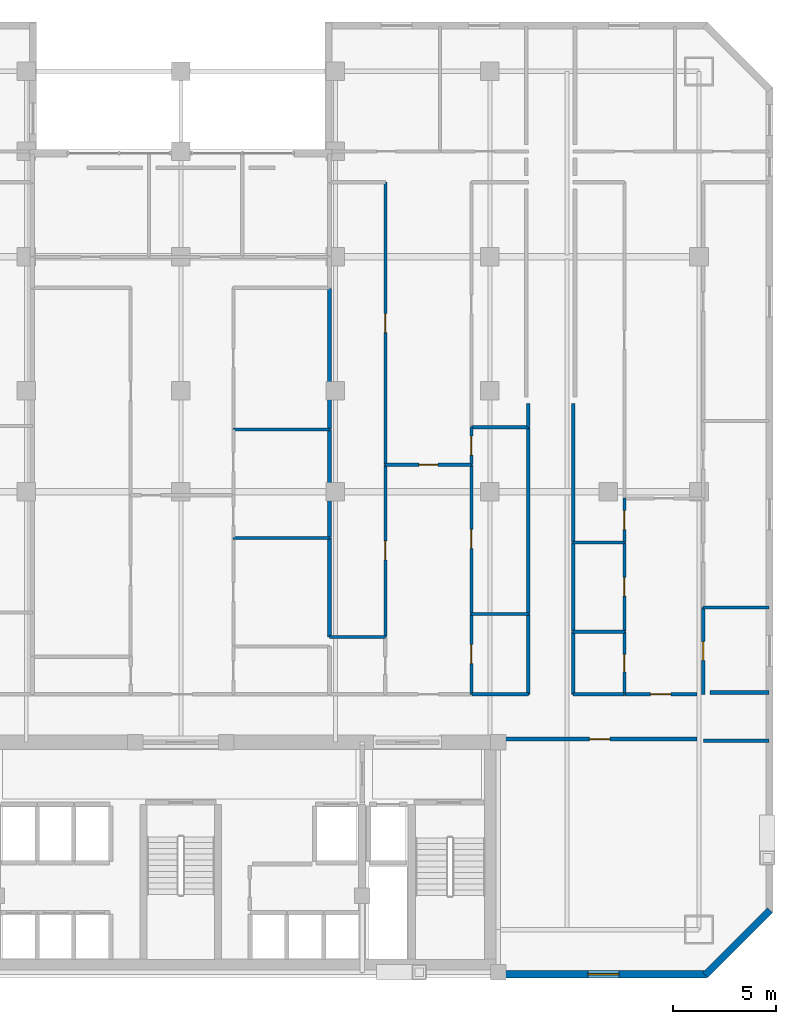
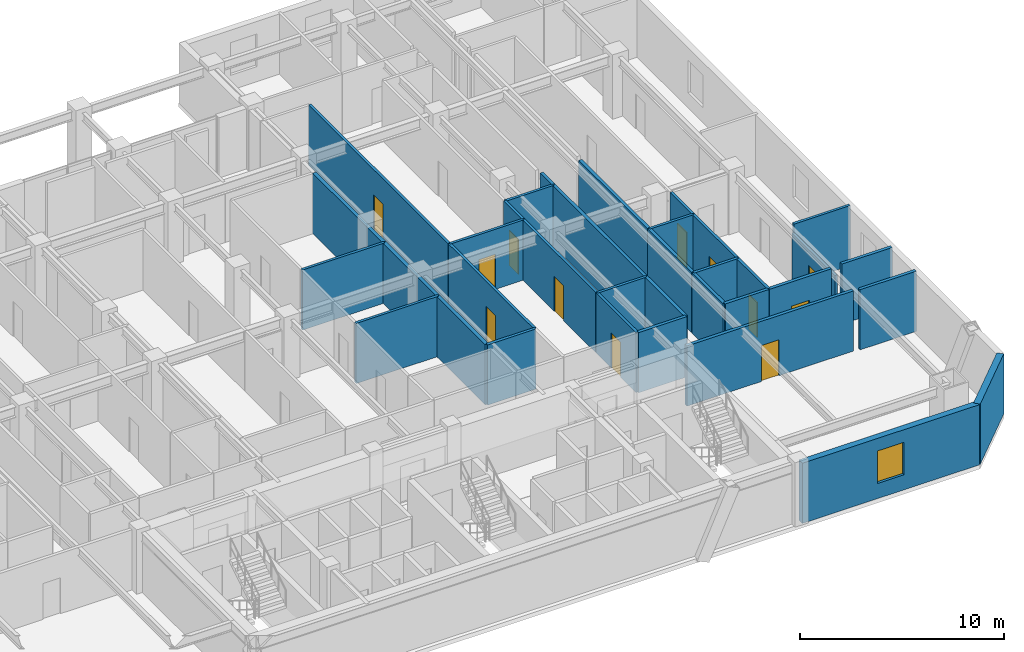
# One storey, part 10 of 14: 35 walls, 12 doors, 1 window, 13 openings.
"""IFC4 building model written with IfcOpenShell, lengths in metres."""

from ifc_helpers import new_model, si_unit, direction, frame, frame_2d, origin, place, context, subcontext, project, spatial, rectangle, extrude, material, layer, layer_set, type_object, element, fill, save


model = new_model("IFC4")

# Units and contexts
model_context = context("Model", 3, precision=1e-05, world=origin(), true_north=direction((0.0, 1.0)))
body_context = subcontext(model_context, "Body", "Model", "MODEL_VIEW")
ifc_project = project(units=[si_unit("LENGTHUNIT", "METRE"), si_unit("AREAUNIT", "SQUARE_METRE"), si_unit("VOLUMEUNIT", "CUBIC_METRE"), si_unit("PLANEANGLEUNIT", "RADIAN"), si_unit("MASSUNIT", "GRAM", prefix="KILO")], contexts=[model_context])

# Site, building, storey
site_placement = place(None, origin())
site = spatial("IfcSite", under=ifc_project, at=site_placement, CompositionType="ELEMENT")
building_placement = place(site_placement, origin())
building = spatial("IfcBuilding", under=site, at=building_placement, Name="Ventersveld Concourse Tower", CompositionType="ELEMENT")
storey_placement = place(building_placement, frame((0.0, 0.0, 81.050048828125)))
storey = spatial("IfcBuildingStorey", under=building, at=storey_placement, Name="L19", CompositionType="ELEMENT", Elevation=81.050048828125)

# Wall, opening, door
ifc_material_1 = material(Name="Fire-rated autoclaved aerated masonry blockwork", Category="masonry")
ifc_layer_1 = layer(ifc_material_1, 0.179931640625)
ifc_layer_set_1 = layer_set([ifc_layer_1], Name="Fire-rated autoclaved aerated masonry blockwork")
wall_type_1 = type_object("IfcWallType", Name="WL-CORR-180", PredefinedType="PARTITIONING", material=ifc_layer_set_1)
wall_1_placement = place(storey_placement, frame((44.35498046875, 11.60009765625, 0.0), z_axis=(0.0, 0.0, 1.0), x_axis=(1.0, 0.0, 0.0)))
wall_1 = element("IfcWall", 1, at=wall_1_placement, inside=storey, type_object=wall_type_1, Name="L19 Interior Partition SP-L19-SE-OFF-SP-L19-COR", PredefinedType="PARTITIONING", context=body_context, shape_type="SweptSolid", body=[
    extrude(rectangle(XDim=9.43994140625, YDim=0.179931640625, at=frame_2d((4.719970703125, 0.0))), origin(), (0.0, 0.0, 1.0), 3.599853515625),
])
opening_1_placement = place(wall_1_placement, frame((4.219970703125, 0.0, 0.0)))
opening_1 = element("IfcOpeningElement", 2, at=opening_1_placement, cuts=wall_1, Name="Opening FD3", PredefinedType="OPENING", context=body_context, shape_type="SweptSolid", body=[
    extrude(rectangle(XDim=1.0, YDim=2.14990234375, at=frame_2d((0.5, 1.074951171875))), frame((0.0, 0.10009765625, 0.0), z_axis=(0.0, -1.0, 0.0), x_axis=(1.0, 0.0, 0.0)), (0.0, 0.0, 1.0), 0.199951171875),
])
ifc_material_2 = material(Name="Solid-core hardwood veneer timber", Category="wood")
door_type_1 = type_object("IfcDoorType", Name="DR-FLAT-100", OperationType="NOTDEFINED", PredefinedType="DOOR", material=ifc_material_2)
door_1_placement = place(opening_1_placement, origin())
door_1 = element("IfcDoor", 3, at=door_1_placement, inside=storey, type_object=door_type_1, Name="L19 Interior Door SP-L19-SE-OFF to SP-L19-COR (D-L19-0884)", OperationType="SINGLE_SWING_RIGHT", OverallHeight=2.14990234375, OverallWidth=1.0, PredefinedType="DOOR", context=body_context, shape_type="SweptSolid", body=[
    extrude(rectangle(XDim=1.0, YDim=2.14990234375, at=frame_2d((0.5, 1.074951171875))), frame((0.0, 0.02490234375, 0.0), z_axis=(0.0, -1.0, 0.0), x_axis=(1.0, 0.0, 0.0)), (0.0, 0.0, 1.0), 0.050048828125),
])
fill(opening_1, door_1)

wall_2_placement = place(storey_placement, frame((50.27783203125, 13.77001953125, 0.0), z_axis=(0.0, 0.0, 1.0), x_axis=(1.0, 0.0, 0.0)))
wall_2 = element("IfcWall", 4, at=wall_2_placement, inside=storey, type_object=wall_type_1, Name="L19 Interior Partition SP-L19-COR-SP-L19-19NE-FOY", PredefinedType="PARTITIONING", context=body_context, shape_type="SweptSolid", body=[
    extrude(rectangle(XDim=3.51708984375, YDim=0.179931640625, at=frame_2d((1.758544921875, 0.0))), origin(), (0.0, 0.0, 1.0), 3.599853515625),
])
opening_2_placement = place(wall_2_placement, frame((1.258544921875, 0.0, 0.0)))
opening_2 = element("IfcOpeningElement", 5, at=opening_2_placement, cuts=wall_2, Name="Opening FD3", PredefinedType="OPENING", context=body_context, shape_type="SweptSolid", body=[
    extrude(rectangle(XDim=1.0, YDim=2.14990234375, at=frame_2d((0.5, 1.074951171875))), frame((0.0, 0.10009765625, 0.0), z_axis=(0.0, -1.0, 0.0), x_axis=(1.0, 0.0, 0.0)), (0.0, 0.0, 1.0), 0.199951171875),
])
door_2_placement = place(opening_2_placement, origin())
door_2 = element("IfcDoor", 6, at=door_2_placement, inside=storey, type_object=door_type_1, Name="L19 Interior Door SP-L19-COR to SP-L19-19NE-FOY (FD-L19-0886)", OperationType="SINGLE_SWING_RIGHT", OverallHeight=2.14990234375, OverallWidth=1.0, PredefinedType="DOOR", context=body_context, shape_type="SweptSolid", body=[
    extrude(rectangle(XDim=1.0, YDim=2.14990234375, at=frame_2d((0.5, 1.074951171875))), frame((0.0, 0.02490234375, 0.0), z_axis=(0.0, -1.0, 0.0), x_axis=(1.0, 0.0, 0.0)), (0.0, 0.0, 1.0), 0.050048828125),
])
fill(opening_2, door_2)

# Walls
wall_3_placement = place(storey_placement, frame((47.7900390625, 13.764892578125, 0.0), z_axis=(0.0, 0.0, 1.0), x_axis=(0.0, 1.0, 0.0)))
element("IfcWall", 7, at=wall_3_placement, inside=storey, type_object=wall_type_1, Name="L19 Interior Partition SP-L19-COR-SP-L19-19NE-BATH", PredefinedType="PARTITIONING", context=body_context, shape_type="SweptSolid", body=[
    extrude(rectangle(XDim=3.043701171875, YDim=0.179931640625, at=frame_2d((1.52197265625, 0.0))), origin(), (0.0, 0.0, 1.0), 3.599853515625),
])
wall_4_placement = place(storey_placement, frame((47.784912109375, 13.77001953125, 0.0), z_axis=(0.0, 0.0, 1.0), x_axis=(1.0, 0.0, 0.0)))
element("IfcWall", 8, at=wall_4_placement, inside=storey, type_object=wall_type_1, Name="L19 Interior Partition SP-L19-COR-SP-L19-19NE-BATH", PredefinedType="PARTITIONING", context=body_context, shape_type="SweptSolid", body=[
    extrude(rectangle(XDim=2.462890625, YDim=0.179931640625, at=frame_2d((1.2314453125, 0.0))), origin(), (0.0, 0.0, 1.0), 3.599853515625),
])
wall_5_placement = place(storey_placement, frame((47.7900390625, 16.838623046875, 0.0), z_axis=(0.0, 0.0, 1.0), x_axis=(0.0, 1.0, 0.0)))
element("IfcWall", 9, at=wall_5_placement, inside=storey, type_object=wall_type_1, Name="L19 Interior Partition SP-L19-COR-SP-L19-19NE-PANL0", PredefinedType="PARTITIONING", context=body_context, shape_type="SweptSolid", body=[
    extrude(rectangle(XDim=4.30078125, YDim=0.179931640625, at=frame_2d((2.150390625, 0.0))), origin(), (0.0, 0.0, 1.0), 3.599853515625),
])
wall_6_placement = place(storey_placement, frame((47.7900390625, 21.16943359375, 0.0), z_axis=(0.0, 0.0, 1.0), x_axis=(0.0, 1.0, 0.0)))
element("IfcWall", 10, at=wall_6_placement, inside=storey, type_object=wall_type_1, Name="L19 Interior Partition SP-L19-COR-SP-L19-19NE-DENL", PredefinedType="PARTITIONING", context=body_context, shape_type="SweptSolid", body=[
    extrude(rectangle(XDim=6.7255859375, YDim=0.179931640625, at=frame_2d((3.36279296875, 0.0))), origin(), (0.0, 0.0, 1.0), 3.599853515625),
])
wall_7_placement = place(storey_placement, frame((45.610107421875, 13.764892578125, 0.0), z_axis=(0.0, 0.0, 1.0), x_axis=(0.0, 1.0, 0.0)))
element("IfcWall", 11, at=wall_7_placement, inside=storey, type_object=wall_type_1, Name="L19 Interior Partition SP-L19-COR-SP-L19-19CE-KIT", PredefinedType="PARTITIONING", context=body_context, shape_type="SweptSolid", body=[
    extrude(rectangle(XDim=3.916015625, YDim=0.179931640625, at=frame_2d((1.9580078125, 0.0))), origin(), (0.0, 0.0, 1.0), 3.599853515625),
])
wall_8_placement = place(storey_placement, frame((42.888427734375, 13.77001953125, 0.0), z_axis=(0.0, 0.0, 1.0), x_axis=(1.0, 0.0, 0.0)))
element("IfcWall", 12, at=wall_8_placement, inside=storey, type_object=wall_type_1, Name="L19 Interior Partition SP-L19-COR-SP-L19-19CE-KIT", PredefinedType="PARTITIONING", context=body_context, shape_type="SweptSolid", body=[
    extrude(rectangle(XDim=2.7265625, YDim=0.179931640625, at=frame_2d((1.36328125, 0.0))), origin(), (0.0, 0.0, 1.0), 3.599853515625),
])
wall_9_placement = place(storey_placement, frame((45.610107421875, 17.710693359375, 0.0), z_axis=(0.0, 0.0, 1.0), x_axis=(0.0, 1.0, 0.0)))
element("IfcWall", 13, at=wall_9_placement, inside=storey, type_object=wall_type_1, Name="L19 Interior Partition SP-L19-COR-SP-L19-19CE-DENR", PredefinedType="PARTITIONING", context=body_context, shape_type="SweptSolid", body=[
    extrude(rectangle(XDim=9.0244140625, YDim=0.179931640625, at=frame_2d((4.51220703125, 0.0))), origin(), (0.0, 0.0, 1.0), 3.599853515625),
])
wall_10_placement = place(storey_placement, frame((45.610107421875, 26.764892578125, 0.0), z_axis=(0.0, 0.0, 1.0), x_axis=(0.0, 1.0, 0.0)))
element("IfcWall", 14, at=wall_10_placement, inside=storey, type_object=wall_type_1, Name="L19 Interior Partition SP-L19-COR-SP-L19-19CE-DENS", PredefinedType="PARTITIONING", context=body_context, shape_type="SweptSolid", body=[
    extrude(rectangle(XDim=1.130126953125, YDim=0.179931640625, at=frame_2d((0.56494140625, 0.0))), origin(), (0.0, 0.0, 1.0), 3.599853515625),
])
wall_11_placement = place(storey_placement, frame((54.1123046875, 11.52001953125, 0.0), z_axis=(0.0, 0.0, 1.0), x_axis=(1.0, 0.0, 0.0)))
element("IfcWall", 15, at=wall_11_placement, inside=storey, type_object=wall_type_1, Name="L19 Room Enclosure Wall SP-L19-SE-OFF", PredefinedType="PARTITIONING", context=body_context, shape_type="SweptSolid", body=[
    extrude(rectangle(XDim=3.177734375, YDim=0.179931640625, at=frame_2d((1.5888671875, 0.0))), origin(), (0.0, 0.0, 1.0), 3.599853515625),
])
wall_12_placement = place(storey_placement, frame((57.2900390625, 13.860107421875, 0.0), z_axis=(0.0, 0.0, 1.0), x_axis=(-1.0, 0.0, 0.0)))
element("IfcWall", 16, at=wall_12_placement, inside=storey, type_object=wall_type_1, Name="L19 Room Enclosure Wall SP-L19-19NE-KIT", PredefinedType="PARTITIONING", context=body_context, shape_type="SweptSolid", body=[
    extrude(rectangle(XDim=2.8603515625, YDim=0.179931640625, at=frame_2d((1.43017578125, 0.0))), origin(), (0.0, 0.0, 1.0), 3.599853515625),
])
ifc_layer_2 = layer(ifc_material_1, 0.199951171875)
ifc_layer_set_2 = layer_set([ifc_layer_2], Name="Fire-rated autoclaved aerated masonry blockwork")
wall_type_2 = type_object("IfcWallType", Name="WL-DEMISE-200", PredefinedType="PARTITIONING", material=ifc_layer_set_2)
wall_13_placement = place(storey_placement, frame((35.9599609375, 16.54638671875, 0.0), z_axis=(0.0, 0.0, 1.0), x_axis=(0.0, 1.0, 0.0)))
element("IfcWall", 17, at=wall_13_placement, inside=storey, type_object=wall_type_2, Name="L19 Interior Partition SP-L19-19CE-MEDL0-SP-L19-19CM-DENR", PredefinedType="PARTITIONING", context=body_context, shape_type="SweptSolid", body=[
    extrude(rectangle(XDim=4.814697265625, YDim=0.199951171875, at=frame_2d((2.4072265625, 0.0))), origin(), (0.0, 0.0, 1.0), 3.599853515625),
])
wall_14_placement = place(storey_placement, frame((35.9599609375, 21.39111328125, 0.0), z_axis=(0.0, 0.0, 1.0), x_axis=(0.0, 1.0, 0.0)))
element("IfcWall", 18, at=wall_14_placement, inside=storey, type_object=wall_type_2, Name="L19 Interior Partition SP-L19-19CE-MEDL0-SP-L19-19CM-DENS", PredefinedType="PARTITIONING", context=body_context, shape_type="SweptSolid", body=[
    extrude(rectangle(XDim=5.23388671875, YDim=0.199951171875, at=frame_2d((2.616943359375, 0.0))), origin(), (0.0, 0.0, 1.0), 3.599853515625),
])
wall_15_placement = place(storey_placement, frame((35.9599609375, 26.65478515625, 0.0), z_axis=(0.0, 0.0, 1.0), x_axis=(0.0, 1.0, 0.0)))
element("IfcWall", 19, at=wall_15_placement, inside=storey, type_object=wall_type_2, Name="L19 Interior Partition SP-L19-19CE-MEDL0-SP-L19-19CM-DENS2", PredefinedType="PARTITIONING", context=body_context, shape_type="SweptSolid", body=[
    extrude(rectangle(XDim=6.810302734375, YDim=0.199951171875, at=frame_2d((3.4052734375, 0.0))), origin(), (0.0, 0.0, 1.0), 3.599853515625),
])

# Wall, opening, door
ifc_material_3 = material(Name="Autoclaved aerated masonry blockwork", Category="masonry")
ifc_layer_3 = layer(ifc_material_3, 0.14990234375)
ifc_layer_set_3 = layer_set([ifc_layer_3], Name="Autoclaved aerated masonry blockwork")
wall_type_3 = type_object("IfcWallType", Name="WL-INT-150", PredefinedType="PARTITIONING", material=ifc_layer_set_3)
wall_16_placement = place(storey_placement, frame((50.28271484375, 16.838623046875, 0.0), z_axis=(0.0, 0.0, 1.0), x_axis=(0.0, 1.0, 0.0)))
wall_16 = element("IfcWall", 20, at=wall_16_placement, inside=storey, type_object=wall_type_3, Name="L19 Interior Partition SP-L19-19NE-FOY-SP-L19-19NE-PANL0", PredefinedType="PARTITIONING", context=body_context, shape_type="SweptSolid", body=[
    extrude(rectangle(XDim=4.30078125, YDim=0.14990234375, at=frame_2d((2.150390625, 0.0))), origin(), (0.0, 0.0, 1.0), 3.599853515625),
])
opening_3_placement = place(wall_16_placement, frame((1.6904296875, 0.0, 0.0)))
opening_3 = element("IfcOpeningElement", 21, at=opening_3_placement, cuts=wall_16, Name="Opening ID1", PredefinedType="OPENING", context=body_context, shape_type="SweptSolid", body=[
    extrude(rectangle(XDim=0.919921875, YDim=2.10009765625, at=frame_2d((0.4599609375, 1.050048828125))), frame((0.0, 0.0849609375, 0.0), z_axis=(0.0, -1.0, 0.0), x_axis=(1.0, 0.0, 0.0)), (0.0, 0.0, 1.0), 0.169921875),
])
door_type_2 = type_object("IfcDoorType", Name="DR-ROOM-092", OperationType="NOTDEFINED", PredefinedType="DOOR", material=ifc_material_2)
door_3_placement = place(opening_3_placement, origin())
door_3 = element("IfcDoor", 22, at=door_3_placement, inside=storey, type_object=door_type_2, Name="L19 Interior Door SP-L19-19NE-FOY to SP-L19-19NE-PANL0 (D-L19-0902)", OperationType="SINGLE_SWING_RIGHT", OverallHeight=2.10009765625, OverallWidth=0.919921875, PredefinedType="DOOR", context=body_context, shape_type="SweptSolid", body=[
    extrude(rectangle(XDim=0.919921875, YDim=2.10009765625, at=frame_2d((0.4599609375, 1.050048828125))), frame((0.0, 0.02490234375, 0.0), z_axis=(0.0, -1.0, 0.0), x_axis=(1.0, 0.0, 0.0)), (0.0, 0.0, 1.0), 0.050048828125),
])
fill(opening_3, door_3)

wall_17_placement = place(storey_placement, frame((50.28271484375, 21.16943359375, 0.0), z_axis=(0.0, 0.0, 1.0), x_axis=(0.0, 1.0, 0.0)))
wall_17 = element("IfcWall", 23, at=wall_17_placement, inside=storey, type_object=wall_type_3, Name="L19 Interior Partition SP-L19-19NE-FOY-SP-L19-19NE-DENL", PredefinedType="PARTITIONING", context=body_context, shape_type="SweptSolid", body=[
    extrude(rectangle(XDim=2.11767578125, YDim=0.14990234375, at=frame_2d((1.058837890625, 0.0))), origin(), (0.0, 0.0, 1.0), 3.599853515625),
])
opening_4_placement = place(wall_17_placement, frame((0.598876953125, 0.0, 0.0)))
opening_4 = element("IfcOpeningElement", 24, at=opening_4_placement, cuts=wall_17, Name="Opening ID1", PredefinedType="OPENING", context=body_context, shape_type="SweptSolid", body=[
    extrude(rectangle(XDim=0.919921875, YDim=2.10009765625, at=frame_2d((0.4599609375, 1.050048828125))), frame((0.0, 0.0849609375, 0.0), z_axis=(0.0, -1.0, 0.0), x_axis=(1.0, 0.0, 0.0)), (0.0, 0.0, 1.0), 0.169921875),
])
door_4_placement = place(opening_4_placement, origin())
door_4 = element("IfcDoor", 25, at=door_4_placement, inside=storey, type_object=door_type_2, Name="L19 Interior Door SP-L19-19NE-FOY to SP-L19-19NE-DENL (D-L19-0903)", OperationType="SINGLE_SWING_LEFT", OverallHeight=2.10009765625, OverallWidth=0.919921875, PredefinedType="DOOR", context=body_context, shape_type="SweptSolid", body=[
    extrude(rectangle(XDim=0.919921875, YDim=2.10009765625, at=frame_2d((0.4599609375, 1.050048828125))), frame((0.0, 0.02490234375, 0.0), z_axis=(0.0, -1.0, 0.0), x_axis=(1.0, 0.0, 0.0)), (0.0, 0.0, 1.0), 0.050048828125),
])
fill(opening_4, door_4)

wall_18_placement = place(storey_placement, frame((54.104736328125, 13.764892578125, 0.0), z_axis=(0.0, 0.0, 1.0), x_axis=(0.0, 1.0, 0.0)))
wall_18 = element("IfcWall", 26, at=wall_18_placement, inside=storey, type_object=wall_type_3, Name="L19 Interior Partition SP-L19-19NE-FOY-SP-L19-19NE-KIT", PredefinedType="PARTITIONING", context=body_context, shape_type="SweptSolid", body=[
    extrude(rectangle(XDim=4.21484375, YDim=0.14990234375, at=frame_2d((2.107421875, 0.0))), origin(), (0.0, 0.0, 1.0), 3.055419921875),
])
opening_5_placement = place(wall_18_placement, frame((1.6474609375, 0.0, 0.0)))
opening_5 = element("IfcOpeningElement", 27, at=opening_5_placement, cuts=wall_18, Name="Opening ID1", PredefinedType="OPENING", context=body_context, shape_type="SweptSolid", body=[
    extrude(rectangle(XDim=0.919921875, YDim=2.10009765625, at=frame_2d((0.4599609375, 1.050048828125))), frame((0.0, 0.0849609375, 0.0), z_axis=(0.0, -1.0, 0.0), x_axis=(1.0, 0.0, 0.0)), (0.0, 0.0, 1.0), 0.169921875),
])
door_5_placement = place(opening_5_placement, origin())
door_5 = element("IfcDoor", 28, at=door_5_placement, inside=storey, type_object=door_type_2, Name="L19 Interior Door SP-L19-19NE-FOY to SP-L19-19NE-KIT (D-L19-0904)", OperationType="SINGLE_SWING_RIGHT", OverallHeight=2.10009765625, OverallWidth=0.919921875, PredefinedType="DOOR", context=body_context, shape_type="SweptSolid", body=[
    extrude(rectangle(XDim=0.919921875, YDim=2.10009765625, at=frame_2d((0.4599609375, 1.050048828125))), frame((0.0, 0.02490234375, 0.0), z_axis=(0.0, -1.0, 0.0), x_axis=(1.0, 0.0, 0.0)), (0.0, 0.0, 1.0), 0.050048828125),
])
fill(opening_5, door_5)

# Walls
wall_19_placement = place(storey_placement, frame((47.784912109375, 21.134521484375, 0.0), z_axis=(0.0, 0.0, 1.0), x_axis=(1.0, 0.0, 0.0)))
element("IfcWall", 29, at=wall_19_placement, inside=storey, type_object=wall_type_3, Name="L19 Interior Partition SP-L19-19NE-PANL0-SP-L19-19NE-DENL", PredefinedType="PARTITIONING", context=body_context, shape_type="SweptSolid", body=[
    extrude(rectangle(XDim=2.5029296875, YDim=0.14990234375, at=frame_2d((1.25146484375, 0.0))), origin(), (0.0, 0.0, 1.0), 3.599853515625),
])
wall_20_placement = place(storey_placement, frame((54.099853515625, 17.974853515625, 0.0), z_axis=(0.0, 0.0, 1.0), x_axis=(1.0, 0.0, 0.0)))
element("IfcWall", 30, at=wall_20_placement, inside=storey, type_object=wall_type_3, Name="L19 Interior Partition SP-L19-19NE-KIT-SP-L19-19NE-DENR", PredefinedType="PARTITIONING", context=body_context, shape_type="SweptSolid", body=[
    extrude(rectangle(XDim=3.190185546875, YDim=0.14990234375, at=frame_2d((1.59521484375, 0.0))), origin(), (0.0, 0.0, 1.0), 3.599853515625),
])

# Wall, opening, door
wall_21_placement = place(storey_placement, frame((38.672119140625, 24.911865234375, 0.0), z_axis=(0.0, 0.0, 1.0), x_axis=(1.0, 0.0, 0.0)))
wall_21 = element("IfcWall", 31, at=wall_21_placement, inside=storey, type_object=wall_type_3, Name="L19 Interior Partition SP-L19-19CE-FOY-SP-L19-19CE-LIV", PredefinedType="PARTITIONING", context=body_context, shape_type="SweptSolid", body=[
    extrude(rectangle(XDim=4.186279296875, YDim=0.14990234375, at=frame_2d((2.09326171875, 0.0))), origin(), (0.0, 0.0, 1.0), 3.599853515625),
])
opening_6_placement = place(wall_21_placement, frame((1.633056640625, 0.0, 0.0)))
opening_6 = element("IfcOpeningElement", 32, at=opening_6_placement, cuts=wall_21, Name="Opening ID1", PredefinedType="OPENING", context=body_context, shape_type="SweptSolid", body=[
    extrude(rectangle(XDim=0.919921875, YDim=2.10009765625, at=frame_2d((0.4599609375, 1.050048828125))), frame((0.0, 0.0849609375, 0.0), z_axis=(0.0, -1.0, 0.0), x_axis=(1.0, 0.0, 0.0)), (0.0, 0.0, 1.0), 0.169921875),
])
door_6_placement = place(opening_6_placement, origin())
door_6 = element("IfcDoor", 33, at=door_6_placement, inside=storey, type_object=door_type_2, Name="L19 Interior Door SP-L19-19CE-FOY to SP-L19-19CE-LIV (D-L19-0921)", OperationType="SINGLE_SWING_LEFT", OverallHeight=2.10009765625, OverallWidth=0.919921875, PredefinedType="DOOR", context=body_context, shape_type="SweptSolid", body=[
    extrude(rectangle(XDim=0.919921875, YDim=2.10009765625, at=frame_2d((0.4599609375, 1.050048828125))), frame((0.0, 0.02490234375, 0.0), z_axis=(0.0, -1.0, 0.0), x_axis=(1.0, 0.0, 0.0)), (0.0, 0.0, 1.0), 0.050048828125),
])
fill(opening_6, door_6)

wall_22_placement = place(storey_placement, frame((38.67724609375, 16.586181640625, 0.0), z_axis=(0.0, 0.0, 1.0), x_axis=(0.0, 1.0, 0.0)))
wall_22 = element("IfcWall", 34, at=wall_22_placement, inside=storey, type_object=wall_type_3, Name="L19 Interior Partition SP-L19-19CE-FOY-SP-L19-19CE-MEDL0", PredefinedType="PARTITIONING", context=body_context, shape_type="SweptSolid", body=[
    extrude(rectangle(XDim=8.330810546875, YDim=0.14990234375, at=frame_2d((4.16552734375, 0.0))), origin(), (0.0, 0.0, 1.0), 3.599853515625),
])
opening_7_placement = place(wall_22_placement, frame((3.705322265625, 0.0, 0.0)))
opening_7 = element("IfcOpeningElement", 35, at=opening_7_placement, cuts=wall_22, Name="Opening ID1", PredefinedType="OPENING", context=body_context, shape_type="SweptSolid", body=[
    extrude(rectangle(XDim=0.919921875, YDim=2.10009765625, at=frame_2d((0.4599609375, 1.050048828125))), frame((0.0, 0.0849609375, 0.0), z_axis=(0.0, -1.0, 0.0), x_axis=(1.0, 0.0, 0.0)), (0.0, 0.0, 1.0), 0.169921875),
])
door_7_placement = place(opening_7_placement, origin())
door_7 = element("IfcDoor", 36, at=door_7_placement, inside=storey, type_object=door_type_2, Name="L19 Interior Door SP-L19-19CE-FOY to SP-L19-19CE-MEDL0 (D-L19-0923)", OperationType="SINGLE_SWING_LEFT", OverallHeight=2.10009765625, OverallWidth=0.919921875, PredefinedType="DOOR", context=body_context, shape_type="SweptSolid", body=[
    extrude(rectangle(XDim=0.919921875, YDim=2.10009765625, at=frame_2d((0.4599609375, 1.050048828125))), frame((0.0, 0.02490234375, 0.0), z_axis=(0.0, -1.0, 0.0), x_axis=(1.0, 0.0, 0.0)), (0.0, 0.0, 1.0), 0.050048828125),
])
fill(opening_7, door_7)

wall_23_placement = place(storey_placement, frame((42.853515625, 13.764892578125, 0.0), z_axis=(0.0, 0.0, 1.0), x_axis=(0.0, 1.0, 0.0)))
wall_23 = element("IfcWall", 37, at=wall_23_placement, inside=storey, type_object=wall_type_3, Name="L19 Interior Partition SP-L19-19CE-FOY-SP-L19-19CE-KIT", PredefinedType="PARTITIONING", context=body_context, shape_type="SweptSolid", body=[
    extrude(rectangle(XDim=3.916015625, YDim=0.14990234375, at=frame_2d((1.9580078125, 0.0))), origin(), (0.0, 0.0, 1.0), 3.599853515625),
])
opening_8_placement = place(wall_23_placement, frame((1.497802734375, 0.0, 0.0)))
opening_8 = element("IfcOpeningElement", 38, at=opening_8_placement, cuts=wall_23, Name="Opening ID1", PredefinedType="OPENING", context=body_context, shape_type="SweptSolid", body=[
    extrude(rectangle(XDim=0.919921875, YDim=2.10009765625, at=frame_2d((0.4599609375, 1.050048828125))), frame((0.0, 0.0849609375, 0.0), z_axis=(0.0, -1.0, 0.0), x_axis=(1.0, 0.0, 0.0)), (0.0, 0.0, 1.0), 0.169921875),
])
door_8_placement = place(opening_8_placement, origin())
door_8 = element("IfcDoor", 39, at=door_8_placement, inside=storey, type_object=door_type_2, Name="L19 Interior Door SP-L19-19CE-FOY to SP-L19-19CE-KIT (D-L19-0924)", OperationType="SINGLE_SWING_RIGHT", OverallHeight=2.10009765625, OverallWidth=0.919921875, PredefinedType="DOOR", context=body_context, shape_type="SweptSolid", body=[
    extrude(rectangle(XDim=0.919921875, YDim=2.10009765625, at=frame_2d((0.4599609375, 1.050048828125))), frame((0.0, 0.02490234375, 0.0), z_axis=(0.0, -1.0, 0.0), x_axis=(1.0, 0.0, 0.0)), (0.0, 0.0, 1.0), 0.050048828125),
])
fill(opening_8, door_8)

wall_24_placement = place(storey_placement, frame((42.853515625, 17.710693359375, 0.0), z_axis=(0.0, 0.0, 1.0), x_axis=(0.0, 1.0, 0.0)))
wall_24 = element("IfcWall", 40, at=wall_24_placement, inside=storey, type_object=wall_type_3, Name="L19 Interior Partition SP-L19-19CE-FOY-SP-L19-19CE-DENR", PredefinedType="PARTITIONING", context=body_context, shape_type="SweptSolid", body=[
    extrude(rectangle(XDim=7.206298828125, YDim=0.14990234375, at=frame_2d((3.60302734375, 0.0))), origin(), (0.0, 0.0, 1.0), 3.599853515625),
])
opening_9_placement = place(wall_24_placement, frame((3.14306640625, 0.0, 0.0)))
opening_9 = element("IfcOpeningElement", 41, at=opening_9_placement, cuts=wall_24, Name="Opening ID1", PredefinedType="OPENING", context=body_context, shape_type="SweptSolid", body=[
    extrude(rectangle(XDim=0.919921875, YDim=2.10009765625, at=frame_2d((0.4599609375, 1.050048828125))), frame((0.0, 0.0849609375, 0.0), z_axis=(0.0, -1.0, 0.0), x_axis=(1.0, 0.0, 0.0)), (0.0, 0.0, 1.0), 0.169921875),
])
door_9_placement = place(opening_9_placement, origin())
door_9 = element("IfcDoor", 42, at=door_9_placement, inside=storey, type_object=door_type_2, Name="L19 Interior Door SP-L19-19CE-FOY to SP-L19-19CE-DENR (D-L19-0925)", OperationType="SINGLE_SWING_LEFT", OverallHeight=2.10009765625, OverallWidth=0.919921875, PredefinedType="DOOR", context=body_context, shape_type="SweptSolid", body=[
    extrude(rectangle(XDim=0.919921875, YDim=2.10009765625, at=frame_2d((0.4599609375, 1.050048828125))), frame((0.0, 0.02490234375, 0.0), z_axis=(0.0, -1.0, 0.0), x_axis=(1.0, 0.0, 0.0)), (0.0, 0.0, 1.0), 0.050048828125),
])
fill(opening_9, door_9)

wall_25_placement = place(storey_placement, frame((38.67724609375, 24.947021484375, 0.0), z_axis=(0.0, 0.0, 1.0), x_axis=(0.0, 1.0, 0.0)))
wall_25 = element("IfcWall", 43, at=wall_25_placement, inside=storey, type_object=wall_type_3, Name="L19 Interior Partition SP-L19-19CE-LIV-SP-L19-19CE-MEDL0", PredefinedType="PARTITIONING", context=body_context, shape_type="SweptSolid", body=[
    extrude(rectangle(XDim=13.677978515625, YDim=0.14990234375, at=frame_2d((6.8388671875, 0.0))), origin(), (0.0, 0.0, 1.0), 3.599853515625),
])
opening_10_placement = place(wall_25_placement, frame((6.379150390625, 0.0, 0.0)))
opening_10 = element("IfcOpeningElement", 44, at=opening_10_placement, cuts=wall_25, Name="Opening ID1", PredefinedType="OPENING", context=body_context, shape_type="SweptSolid", body=[
    extrude(rectangle(XDim=0.919921875, YDim=2.10009765625, at=frame_2d((0.4599609375, 1.050048828125))), frame((0.0, 0.0849609375, 0.0), z_axis=(0.0, -1.0, 0.0), x_axis=(1.0, 0.0, 0.0)), (0.0, 0.0, 1.0), 0.169921875),
])
door_10_placement = place(opening_10_placement, origin())
door_10 = element("IfcDoor", 45, at=door_10_placement, inside=storey, type_object=door_type_2, Name="L19 Interior Door SP-L19-19CE-LIV to SP-L19-19CE-MEDL0 (D-L19-0926)", OperationType="SINGLE_SWING_RIGHT", OverallHeight=2.10009765625, OverallWidth=0.919921875, PredefinedType="DOOR", context=body_context, shape_type="SweptSolid", body=[
    extrude(rectangle(XDim=0.919921875, YDim=2.10009765625, at=frame_2d((0.4599609375, 1.050048828125))), frame((0.0, 0.02490234375, 0.0), z_axis=(0.0, -1.0, 0.0), x_axis=(1.0, 0.0, 0.0)), (0.0, 0.0, 1.0), 0.050048828125),
])
fill(opening_10, door_10)

wall_26_placement = place(storey_placement, frame((42.853515625, 24.947021484375, 0.0), z_axis=(0.0, 0.0, 1.0), x_axis=(0.0, 1.0, 0.0)))
wall_26 = element("IfcWall", 46, at=wall_26_placement, inside=storey, type_object=wall_type_3, Name="L19 Interior Partition SP-L19-19CE-LIV-SP-L19-19CE-DENR", PredefinedType="PARTITIONING", context=body_context, shape_type="SweptSolid", body=[
    extrude(rectangle(XDim=1.7880859375, YDim=0.14990234375, at=frame_2d((0.89404296875, 0.0))), origin(), (0.0, 0.0, 1.0), 3.599853515625),
])
opening_11_placement = place(wall_26_placement, frame((0.43408203125, 0.0, 0.0)))
opening_11 = element("IfcOpeningElement", 47, at=opening_11_placement, cuts=wall_26, Name="Opening ID1", PredefinedType="OPENING", context=body_context, shape_type="SweptSolid", body=[
    extrude(rectangle(XDim=0.919921875, YDim=2.10009765625, at=frame_2d((0.4599609375, 1.050048828125))), frame((0.0, 0.0849609375, 0.0), z_axis=(0.0, -1.0, 0.0), x_axis=(1.0, 0.0, 0.0)), (0.0, 0.0, 1.0), 0.169921875),
])
door_11_placement = place(opening_11_placement, origin())
door_11 = element("IfcDoor", 48, at=door_11_placement, inside=storey, type_object=door_type_2, Name="L19 Interior Door SP-L19-19CE-LIV to SP-L19-19CE-DENR (D-L19-0927)", OperationType="SINGLE_SWING_LEFT", OverallHeight=2.10009765625, OverallWidth=0.919921875, PredefinedType="DOOR", context=body_context, shape_type="SweptSolid", body=[
    extrude(rectangle(XDim=0.919921875, YDim=2.10009765625, at=frame_2d((0.4599609375, 1.050048828125))), frame((0.0, 0.02490234375, 0.0), z_axis=(0.0, -1.0, 0.0), x_axis=(1.0, 0.0, 0.0)), (0.0, 0.0, 1.0), 0.050048828125),
])
fill(opening_11, door_11)

# Walls
for number, where, z_axis, x_axis, name in (
    (49, (42.848388671875, 17.67578125, 0.0), (0.0, 0.0, 1.0), (1.0, 0.0, 0.0), "L19 Interior Partition SP-L19-19CE-KIT-SP-L19-19CE-DENR"),
    (50, (42.848388671875, 26.72998046875, 0.0), (0.0, 0.0, 1.0), (1.0, 0.0, 0.0), "L19 Interior Partition SP-L19-19CE-DENR-SP-L19-19CE-DENS"),
):
    element("IfcWall", number, at=place(storey_placement, frame(where, z_axis=z_axis, x_axis=x_axis)), inside=storey, type_object=wall_type_3, Name=name, PredefinedType="PARTITIONING", context=body_context, shape_type="SweptSolid", body=[
        extrude(rectangle(XDim=2.7666015625, YDim=0.14990234375, at=frame_2d((1.38330078125, 0.0))), origin(), (0.0, 0.0, 1.0), 3.599853515625),
    ])
for number, where, z_axis, x_axis, name in (
    (51, (31.294189453125, 21.356201171875, 0.0), (0.0, 0.0, 1.0), (1.0, 0.0, 0.0), "L19 Interior Partition SP-L19-19CM-DENR-SP-L19-19CM-DENS"),
    (52, (31.294189453125, 26.619873046875, 0.0), (0.0, 0.0, 1.0), (1.0, 0.0, 0.0), "L19 Interior Partition SP-L19-19CM-DENS-SP-L19-19CM-DENS2"),
):
    element("IfcWall", number, at=place(storey_placement, frame(where, z_axis=z_axis, x_axis=x_axis)), inside=storey, type_object=wall_type_3, Name=name, PredefinedType="PARTITIONING", context=body_context, shape_type="SweptSolid", body=[
        extrude(rectangle(XDim=4.6708984375, YDim=0.14990234375, at=frame_2d((2.33544921875, 0.0))), origin(), (0.0, 0.0, 1.0), 3.599853515625),
    ])

# Wall, opening, window
ifc_material_4 = material(Name="Precast concrete C45/55", Category="concrete")
ifc_layer_4 = layer(ifc_material_4, 0.35009765625)
ifc_layer_set_4 = layer_set([ifc_layer_4], Name="Precast concrete C45/55")
wall_type_4 = type_object("IfcWallType", Name="WL-PREC-350", PredefinedType="SOLIDWALL", material=ifc_layer_set_4)
wall_27_placement = place(storey_placement, frame((44.25, 0.179931640625, 0.0), z_axis=(0.0, 0.0, 1.0), x_axis=(1.0, 0.0, 0.0)))
wall_27 = element("IfcWall", 53, at=wall_27_placement, inside=storey, type_object=wall_type_4, Name="L19 South-East Flank Precast Wall", PredefinedType="SOLIDWALL", context=body_context, shape_type="SweptSolid", body=[
    extrude(rectangle(XDim=10.010009765625, YDim=0.35009765625, at=frame_2d((5.0048828125, 0.0))), origin(), (0.0, 0.0, 1.0), 3.599853515625),
])
opening_12_placement = place(wall_27_placement, frame((4.2548828125, 0.0, 0.89990234375)))
opening_12 = element("IfcOpeningElement", 54, at=opening_12_placement, cuts=wall_27, Name="Opening W1", PredefinedType="OPENING", context=body_context, shape_type="SweptSolid", body=[
    extrude(rectangle(XDim=1.5, YDim=1.949951171875, at=frame_2d((0.75, 0.97509765625))), frame((0.0, 0.18505859375, 0.0), z_axis=(0.0, -1.0, 0.0), x_axis=(1.0, 0.0, 0.0)), (0.0, 0.0, 1.0), 0.3701171875),
])
ifc_material_5 = material(Name="Tempered acoustic Low-E IGU", Category="glass")
window_type = type_object("IfcWindowType", Name="WIN-150x210", PartitioningType="SINGLE_PANEL", PredefinedType="WINDOW", material=ifc_material_5)
window_placement = place(opening_12_placement, origin())
window = element("IfcWindow", 55, at=window_placement, inside=storey, type_object=window_type, Name="L19 Punched Low-E Window W-0190", OverallHeight=1.949951171875, OverallWidth=1.5, PartitioningType="SINGLE_PANEL", PredefinedType="WINDOW", context=body_context, shape_type="SweptSolid", body=[
    extrude(rectangle(XDim=1.5, YDim=1.949951171875, at=frame_2d((0.75, 0.97509765625))), frame((0.0, 0.030029296875, 0.0), z_axis=(0.0, -1.0, 0.0), x_axis=(1.0, 0.0, 0.0)), (0.0, 0.0, 1.0), 0.06005859375),
])
fill(opening_12, window)

# Wall
wall_28_placement = place(storey_placement, frame((54.20458984375, 0.152099609375, 0.0), z_axis=(0.0, 0.0, 1.0), x_axis=(0.707106781187, 0.707106781187, 0.0)))
element("IfcWall", 56, at=wall_28_placement, inside=storey, type_object=wall_type_4, Name="L19 Highveld Precast Facade Wall E02", PredefinedType="SOLIDWALL", context=body_context, shape_type="SweptSolid", body=[
    extrude(rectangle(XDim=4.4453125, YDim=0.35009765625, at=frame_2d((2.22265625, 0.0))), origin(), (0.0, 0.0, 1.0), 3.599853515625),
])

# Wall, opening, door
ifc_layer_5 = layer(ifc_material_3, 0.1650390625)
ifc_layer_set_5 = layer_set([ifc_layer_5], Name="Autoclaved aerated masonry blockwork")
wall_type_5 = type_object("IfcWallType", Name="WL-WET-165", PredefinedType="PLUMBINGWALL", material=ifc_layer_set_5)
wall_29_placement = place(storey_placement, frame((50.28271484375, 13.764892578125, 0.0), z_axis=(0.0, 0.0, 1.0), x_axis=(0.0, 1.0, 0.0)))
wall_29 = element("IfcWall", 57, at=wall_29_placement, inside=storey, type_object=wall_type_5, Name="L19 Interior Partition SP-L19-19NE-FOY-SP-L19-19NE-BATH", PredefinedType="PLUMBINGWALL", context=body_context, shape_type="SweptSolid", body=[
    extrude(rectangle(XDim=3.043701171875, YDim=0.1650390625, at=frame_2d((1.52197265625, 0.0))), origin(), (0.0, 0.0, 1.0), 3.599853515625),
])
opening_13_placement = place(wall_29_placement, frame((1.096923828125, 0.0, 0.0)))
opening_13 = element("IfcOpeningElement", 58, at=opening_13_placement, cuts=wall_29, Name="Opening ID2", PredefinedType="OPENING", context=body_context, shape_type="SweptSolid", body=[
    extrude(rectangle(XDim=0.85009765625, YDim=2.10009765625, at=frame_2d((0.425048828125, 1.050048828125))), frame((0.0, 0.092529296875, 0.0), z_axis=(0.0, -1.0, 0.0), x_axis=(1.0, 0.0, 0.0)), (0.0, 0.0, 1.0), 0.18505859375),
])
door_type_3 = type_object("IfcDoorType", Name="DR-BATH-085", OperationType="NOTDEFINED", PredefinedType="DOOR", material=ifc_material_2)
door_12_placement = place(opening_13_placement, origin())
door_12 = element("IfcDoor", 59, at=door_12_placement, inside=storey, type_object=door_type_3, Name="L19 Interior Door SP-L19-19NE-FOY to SP-L19-19NE-BATH (D-L19-0901)", OperationType="SINGLE_SWING_LEFT", OverallHeight=2.10009765625, OverallWidth=0.85009765625, PredefinedType="DOOR", context=body_context, shape_type="SweptSolid", body=[
    extrude(rectangle(XDim=0.85009765625, YDim=2.10009765625, at=frame_2d((0.425048828125, 1.050048828125))), frame((0.0, 0.02490234375, 0.0), z_axis=(0.0, -1.0, 0.0), x_axis=(1.0, 0.0, 0.0)), (0.0, 0.0, 1.0), 0.050048828125),
])
fill(opening_13, door_12)

# Walls
wall_30_placement = place(storey_placement, frame((47.784912109375, 16.8037109375, 0.0), z_axis=(0.0, 0.0, 1.0), x_axis=(1.0, 0.0, 0.0)))
element("IfcWall", 60, at=wall_30_placement, inside=storey, type_object=wall_type_5, Name="L19 Interior Partition SP-L19-19NE-BATH-SP-L19-19NE-PANL0", PredefinedType="PLUMBINGWALL", context=body_context, shape_type="SweptSolid", body=[
    extrude(rectangle(XDim=2.5029296875, YDim=0.1650390625, at=frame_2d((1.25146484375, 0.0))), origin(), (0.0, 0.0, 1.0), 3.599853515625),
])
wall_31_placement = place(storey_placement, frame((35.955078125, 16.55126953125, 0.0), z_axis=(0.0, 0.0, 1.0), x_axis=(1.0, 0.0, 0.0)))
element("IfcWall", 61, at=wall_31_placement, inside=storey, type_object=wall_type_5, Name="L19 Interior Partition SP-L19-19CE-BATH-SP-L19-19CE-MEDL0", PredefinedType="PLUMBINGWALL", context=body_context, shape_type="SweptSolid", body=[
    extrude(rectangle(XDim=2.72705078125, YDim=0.1650390625, at=frame_2d((1.363525390625, 0.0))), origin(), (0.0, 0.0, 1.0), 3.599853515625),
])

save(model, "model.ifc")
